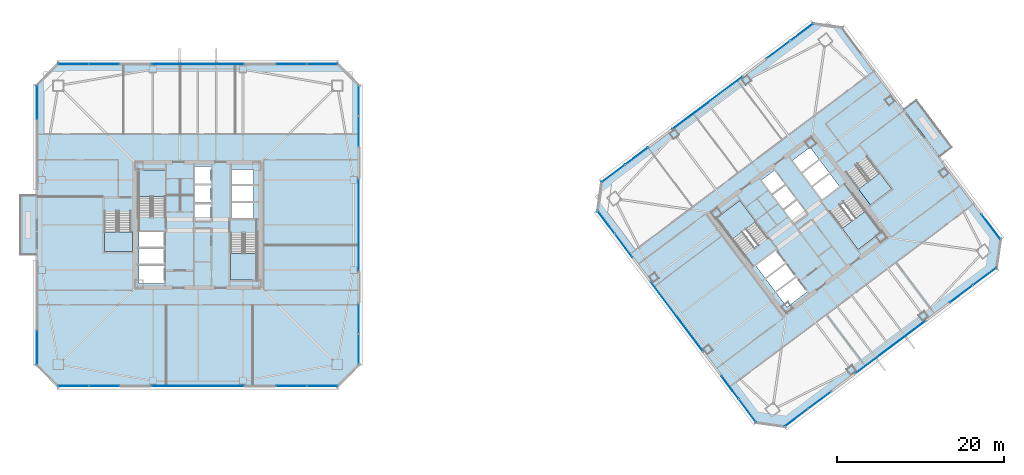
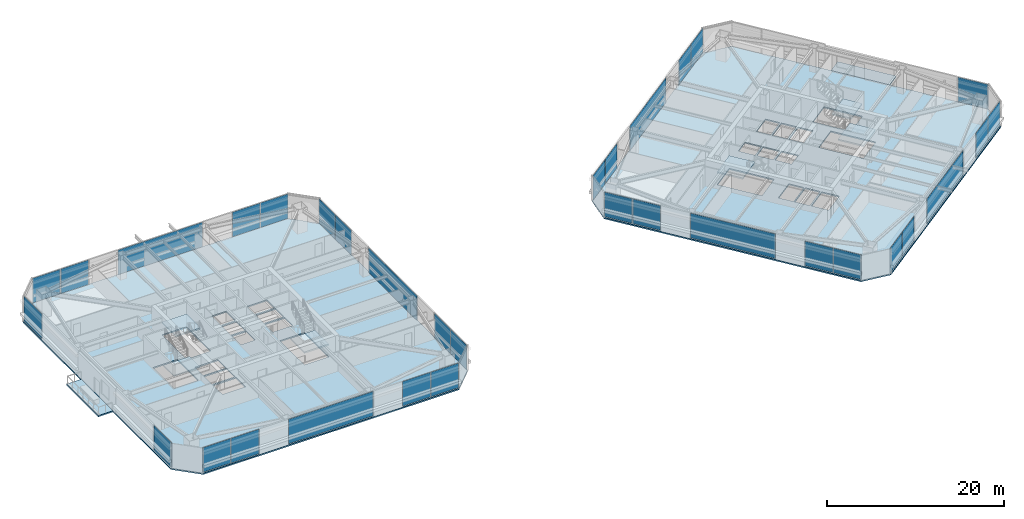
# One storey, part 33 of 46: 33 plates, 10 slabs, 27 elements without a shape of their own.
"""IFC4 building model written with IfcOpenShell, lengths in metres."""

from ifc_helpers import new_model, si_unit, direction, frame, origin, origin_2d, place, context, subcontext, project, spatial, polyline, rectangle, outline, extrude, material, layer, layer_set, type_object, element, aggregate, save


model = new_model("IFC4")

# Units and contexts
model_context = context("Model", 3, precision=1e-05, world=origin(), true_north=direction((0.0, 1.0)))
body_context = subcontext(model_context, "Body", "Model", "MODEL_VIEW")
ifc_project = project(units=[si_unit("LENGTHUNIT", "METRE"), si_unit("AREAUNIT", "SQUARE_METRE"), si_unit("VOLUMEUNIT", "CUBIC_METRE"), si_unit("PLANEANGLEUNIT", "RADIAN"), si_unit("MASSUNIT", "GRAM", prefix="KILO")], contexts=[model_context])

# Site, building, storey
site_placement = place(None, origin())
site = spatial("IfcSite", under=ifc_project, at=site_placement, CompositionType="ELEMENT")
building_placement = place(site_placement, origin())
building = spatial("IfcBuilding", under=site, at=building_placement, Name="Tashvorn Skyway Center", CompositionType="ELEMENT")
storey_placement = place(building_placement, frame((0.0, 0.0, 132.14990234375)))
storey = spatial("IfcBuildingStorey", under=building, at=storey_placement, Name="L35", CompositionType="ELEMENT", Elevation=132.14990234375)

# Curtain wall, plates
ifc_material_1 = material(Name="Thermally broken bronze-anodized aluminium 6063-T6", Category="aluminium")
curtain_wall_type = type_object("IfcCurtainWallType", Name="CW-CW-Z3", PredefinedType="NOTDEFINED", material=ifc_material_1)
curtain_wall_1_placement = place(storey_placement, origin())
curtain_wall_1 = element("IfcCurtainWall", 1, at=curtain_wall_1_placement, inside=storey, type_object=curtain_wall_type, Name="Tower 1 L35 South Unitised Curtain Wall Glazing Group 1", PredefinedType="NOTDEFINED")
ifc_material_2 = material(Name="Low-E solar-control double insulating safety glass", Category="glass")
ifc_layer_1 = layer(ifc_material_2, 0.0400390625)
ifc_layer_set_1 = layer_set([ifc_layer_1], Name="Low-E solar-control double insulating safety glass")
plate_type = type_object("IfcPlateType", Name="CWP-CW-Z3", PredefinedType="CURTAIN_PANEL", material=ifc_layer_set_1)
plate_1_placement = place(storey_placement, frame((56.896728515625, 12.719970703125, 0.0751953125), z_axis=(0.0, 0.0, 1.0), x_axis=(-1.0, 0.0, 0.0)))
plate_1 = element("IfcPlate", 2, at=plate_1_placement, type_object=plate_type, Name="CW-Z3 panel 1.1", PredefinedType="CURTAIN_PANEL", context=body_context, shape_type="SweptSolid", body=[
    extrude(rectangle(XDim=3.616455078125, YDim=0.0400390625, at=origin_2d()), origin(), (0.0, 0.0, 1.0), 3.39990234375),
])
plate_2_placement = place(storey_placement, frame((53.205322265625, 12.719970703125, 0.0751953125), z_axis=(0.0, 0.0, 1.0), x_axis=(-1.0, 0.0, 0.0)))
plate_2 = element("IfcPlate", 3, at=plate_2_placement, type_object=plate_type, Name="CW-Z3 panel 2.1", PredefinedType="CURTAIN_PANEL", context=body_context, shape_type="SweptSolid", body=[
    extrude(rectangle(XDim=3.616455078125, YDim=0.0400390625, at=origin_2d()), origin(), (0.0, 0.0, 1.0), 3.39990234375),
])
aggregate(curtain_wall_1, [plate_1, plate_2])

# Curtain wall, plate
curtain_wall_2_placement = place(storey_placement, origin())
curtain_wall_2 = element("IfcCurtainWall", 4, at=curtain_wall_2_placement, inside=storey, type_object=curtain_wall_type, Name="Tower 1 L35 South Unitised Curtain Wall Glazing Group 2", PredefinedType="NOTDEFINED")
plate_3_placement = place(storey_placement, frame((42.0, 12.719970703125, 0.0751953125), z_axis=(0.0, 0.0, 1.0), x_axis=(-1.0, 0.0, 0.0)))
plate_3 = element("IfcPlate", 5, at=plate_3_placement, type_object=plate_type, Name="CW-Z3 panel 1.1", PredefinedType="CURTAIN_PANEL", context=body_context, shape_type="SweptSolid", body=[
    extrude(rectangle(XDim=11.03662109375, YDim=0.0400390625, at=origin_2d()), origin(), (0.0, 0.0, 1.0), 3.39990234375),
])
aggregate(curtain_wall_2, [plate_3])

# Curtain wall, plates
curtain_wall_3_placement = place(storey_placement, origin())
curtain_wall_3 = element("IfcCurtainWall", 6, at=curtain_wall_3_placement, inside=storey, type_object=curtain_wall_type, Name="Tower 1 L35 South Unitised Curtain Wall Glazing Group 3", PredefinedType="NOTDEFINED")
plate_4_placement = place(storey_placement, frame((30.794677734375, 12.719970703125, 0.0751953125), z_axis=(0.0, 0.0, 1.0), x_axis=(-1.0, 0.0, 0.0)))
plate_4 = element("IfcPlate", 7, at=plate_4_placement, type_object=plate_type, Name="CW-Z3 panel 1.1", PredefinedType="CURTAIN_PANEL", context=body_context, shape_type="SweptSolid", body=[
    extrude(rectangle(XDim=3.616455078125, YDim=0.0400390625, at=origin_2d()), origin(), (0.0, 0.0, 1.0), 3.39990234375),
])
plate_5_placement = place(storey_placement, frame((27.103271484375, 12.719970703125, 0.0751953125), z_axis=(0.0, 0.0, 1.0), x_axis=(-1.0, 0.0, 0.0)))
plate_5 = element("IfcPlate", 8, at=plate_5_placement, type_object=plate_type, Name="CW-Z3 panel 2.1", PredefinedType="CURTAIN_PANEL", context=body_context, shape_type="SweptSolid", body=[
    extrude(rectangle(XDim=3.616455078125, YDim=0.0400390625, at=origin_2d()), origin(), (0.0, 0.0, 1.0), 3.39990234375),
])
aggregate(curtain_wall_3, [plate_4, plate_5])

# Curtain wall, plate
curtain_wall_4_placement = place(storey_placement, origin())
curtain_wall_4 = element("IfcCurtainWall", 9, at=curtain_wall_4_placement, inside=storey, type_object=curtain_wall_type, Name="Tower 1 L35 West Curtain Wall L Glazing Group 1", PredefinedType="NOTDEFINED")
plate_6_placement = place(storey_placement, frame((22.719970703125, 17.308349609375, 0.0751953125), z_axis=(0.0, 0.0, 1.0), x_axis=(0.0, 1.0, 0.0)))
plate_6 = element("IfcPlate", 10, at=plate_6_placement, type_object=plate_type, Name="CW-Z3 panel 1.1", PredefinedType="CURTAIN_PANEL", context=body_context, shape_type="SweptSolid", body=[
    extrude(rectangle(XDim=4.026611328125, YDim=0.0400390625, at=origin_2d()), origin(), (0.0, 0.0, 1.0), 3.39990234375),
])
aggregate(curtain_wall_4, [plate_6])

curtain_wall_5_placement = place(storey_placement, origin())
curtain_wall_5 = element("IfcCurtainWall", 11, at=curtain_wall_5_placement, inside=storey, type_object=curtain_wall_type, Name="Tower 1 L35 West Curtain Wall R Glazing Group 1", PredefinedType="NOTDEFINED")
plate_7_placement = place(storey_placement, frame((22.719970703125, 46.691650390625, 0.0751953125), z_axis=(0.0, 0.0, 1.0), x_axis=(0.0, 1.0, 0.0)))
plate_7 = element("IfcPlate", 12, at=plate_7_placement, type_object=plate_type, Name="CW-Z3 panel 1.1", PredefinedType="CURTAIN_PANEL", context=body_context, shape_type="SweptSolid", body=[
    extrude(rectangle(XDim=4.026611328125, YDim=0.0400390625, at=origin_2d()), origin(), (0.0, 0.0, 1.0), 3.39990234375),
])
aggregate(curtain_wall_5, [plate_7])

# Curtain wall, plates
curtain_wall_6_placement = place(storey_placement, origin())
curtain_wall_6 = element("IfcCurtainWall", 13, at=curtain_wall_6_placement, inside=storey, type_object=curtain_wall_type, Name="Tower 1 L35 North Unitised Curtain Wall Glazing Group 1", PredefinedType="NOTDEFINED")
plate_8_placement = place(storey_placement, frame((27.103271484375, 51.280029296875, 0.0751953125), z_axis=(0.0, 0.0, 1.0), x_axis=(1.0, 0.0, 0.0)))
plate_8 = element("IfcPlate", 14, at=plate_8_placement, type_object=plate_type, Name="CW-Z3 panel 1.1", PredefinedType="CURTAIN_PANEL", context=body_context, shape_type="SweptSolid", body=[
    extrude(rectangle(XDim=3.616455078125, YDim=0.0400390625, at=origin_2d()), origin(), (0.0, 0.0, 1.0), 3.39990234375),
])
plate_9_placement = place(storey_placement, frame((30.794677734375, 51.280029296875, 0.0751953125), z_axis=(0.0, 0.0, 1.0), x_axis=(1.0, 0.0, 0.0)))
plate_9 = element("IfcPlate", 15, at=plate_9_placement, type_object=plate_type, Name="CW-Z3 panel 2.1", PredefinedType="CURTAIN_PANEL", context=body_context, shape_type="SweptSolid", body=[
    extrude(rectangle(XDim=3.616455078125, YDim=0.0400390625, at=origin_2d()), origin(), (0.0, 0.0, 1.0), 3.39990234375),
])
aggregate(curtain_wall_6, [plate_8, plate_9])

# Curtain wall, plate
curtain_wall_7_placement = place(storey_placement, origin())
curtain_wall_7 = element("IfcCurtainWall", 16, at=curtain_wall_7_placement, inside=storey, type_object=curtain_wall_type, Name="Tower 1 L35 North Unitised Curtain Wall Glazing Group 2", PredefinedType="NOTDEFINED")
plate_10_placement = place(storey_placement, frame((42.0, 51.280029296875, 0.0751953125), z_axis=(0.0, 0.0, 1.0), x_axis=(1.0, 0.0, 0.0)))
plate_10 = element("IfcPlate", 17, at=plate_10_placement, type_object=plate_type, Name="CW-Z3 panel 1.1", PredefinedType="CURTAIN_PANEL", context=body_context, shape_type="SweptSolid", body=[
    extrude(rectangle(XDim=11.03662109375, YDim=0.0400390625, at=origin_2d()), origin(), (0.0, 0.0, 1.0), 3.39990234375),
])
aggregate(curtain_wall_7, [plate_10])

# Curtain wall, plates
curtain_wall_8_placement = place(storey_placement, origin())
curtain_wall_8 = element("IfcCurtainWall", 18, at=curtain_wall_8_placement, inside=storey, type_object=curtain_wall_type, Name="Tower 1 L35 North Unitised Curtain Wall Glazing Group 3", PredefinedType="NOTDEFINED")
plate_11_placement = place(storey_placement, frame((53.205322265625, 51.280029296875, 0.0751953125), z_axis=(0.0, 0.0, 1.0), x_axis=(1.0, 0.0, 0.0)))
plate_11 = element("IfcPlate", 19, at=plate_11_placement, type_object=plate_type, Name="CW-Z3 panel 1.1", PredefinedType="CURTAIN_PANEL", context=body_context, shape_type="SweptSolid", body=[
    extrude(rectangle(XDim=3.616455078125, YDim=0.0400390625, at=origin_2d()), origin(), (0.0, 0.0, 1.0), 3.39990234375),
])
plate_12_placement = place(storey_placement, frame((56.896728515625, 51.280029296875, 0.0751953125), z_axis=(0.0, 0.0, 1.0), x_axis=(1.0, 0.0, 0.0)))
plate_12 = element("IfcPlate", 20, at=plate_12_placement, type_object=plate_type, Name="CW-Z3 panel 2.1", PredefinedType="CURTAIN_PANEL", context=body_context, shape_type="SweptSolid", body=[
    extrude(rectangle(XDim=3.616455078125, YDim=0.0400390625, at=origin_2d()), origin(), (0.0, 0.0, 1.0), 3.39990234375),
])
aggregate(curtain_wall_8, [plate_11, plate_12])

curtain_wall_9_placement = place(storey_placement, origin())
curtain_wall_9 = element("IfcCurtainWall", 21, at=curtain_wall_9_placement, inside=storey, type_object=curtain_wall_type, Name="Tower 1 L35 East Unitised Curtain Wall Glazing Group 1", PredefinedType="NOTDEFINED")
plate_13_placement = place(storey_placement, frame((61.280029296875, 46.896728515625, 0.0751953125), z_axis=(0.0, 0.0, 1.0), x_axis=(0.0, -1.0, 0.0)))
plate_13 = element("IfcPlate", 22, at=plate_13_placement, type_object=plate_type, Name="CW-Z3 panel 1.1", PredefinedType="CURTAIN_PANEL", context=body_context, shape_type="SweptSolid", body=[
    extrude(rectangle(XDim=3.616455078125, YDim=0.0400390625, at=origin_2d()), origin(), (0.0, 0.0, 1.0), 3.39990234375),
])
plate_14_placement = place(storey_placement, frame((61.280029296875, 43.205322265625, 0.0751953125), z_axis=(0.0, 0.0, 1.0), x_axis=(0.0, -1.0, 0.0)))
plate_14 = element("IfcPlate", 23, at=plate_14_placement, type_object=plate_type, Name="CW-Z3 panel 2.1", PredefinedType="CURTAIN_PANEL", context=body_context, shape_type="SweptSolid", body=[
    extrude(rectangle(XDim=3.616455078125, YDim=0.0400390625, at=origin_2d()), origin(), (0.0, 0.0, 1.0), 3.39990234375),
])
aggregate(curtain_wall_9, [plate_13, plate_14])

# Curtain wall, plate
curtain_wall_10_placement = place(storey_placement, origin())
curtain_wall_10 = element("IfcCurtainWall", 24, at=curtain_wall_10_placement, inside=storey, type_object=curtain_wall_type, Name="Tower 1 L35 East Unitised Curtain Wall Glazing Group 2", PredefinedType="NOTDEFINED")
plate_15_placement = place(storey_placement, frame((61.280029296875, 32.0, 0.0751953125), z_axis=(0.0, 0.0, 1.0), x_axis=(0.0, -1.0, 0.0)))
plate_15 = element("IfcPlate", 25, at=plate_15_placement, type_object=plate_type, Name="CW-Z3 panel 1.1", PredefinedType="CURTAIN_PANEL", context=body_context, shape_type="SweptSolid", body=[
    extrude(rectangle(XDim=11.03662109375, YDim=0.0400390625, at=origin_2d()), origin(), (0.0, 0.0, 1.0), 3.39990234375),
])
aggregate(curtain_wall_10, [plate_15])

# Curtain wall, plates
curtain_wall_11_placement = place(storey_placement, origin())
curtain_wall_11 = element("IfcCurtainWall", 26, at=curtain_wall_11_placement, inside=storey, type_object=curtain_wall_type, Name="Tower 1 L35 East Unitised Curtain Wall Glazing Group 3", PredefinedType="NOTDEFINED")
plate_16_placement = place(storey_placement, frame((61.280029296875, 20.794677734375, 0.0751953125), z_axis=(0.0, 0.0, 1.0), x_axis=(0.0, -1.0, 0.0)))
plate_16 = element("IfcPlate", 27, at=plate_16_placement, type_object=plate_type, Name="CW-Z3 panel 1.1", PredefinedType="CURTAIN_PANEL", context=body_context, shape_type="SweptSolid", body=[
    extrude(rectangle(XDim=3.616455078125, YDim=0.0400390625, at=origin_2d()), origin(), (0.0, 0.0, 1.0), 3.39990234375),
])
plate_17_placement = place(storey_placement, frame((61.280029296875, 17.103271484375, 0.0751953125), z_axis=(0.0, 0.0, 1.0), x_axis=(0.0, -1.0, 0.0)))
plate_17 = element("IfcPlate", 28, at=plate_17_placement, type_object=plate_type, Name="CW-Z3 panel 2.1", PredefinedType="CURTAIN_PANEL", context=body_context, shape_type="SweptSolid", body=[
    extrude(rectangle(XDim=3.616455078125, YDim=0.0400390625, at=origin_2d()), origin(), (0.0, 0.0, 1.0), 3.39990234375),
])
aggregate(curtain_wall_11, [plate_16, plate_17])

curtain_wall_12_placement = place(storey_placement, origin())
curtain_wall_12 = element("IfcCurtainWall", 29, at=curtain_wall_12_placement, inside=storey, type_object=curtain_wall_type, Name="Tower 2 L35 South Unitised Curtain Wall Glazing Group 1", PredefinedType="NOTDEFINED")
plate_18_placement = place(storey_placement, frame((136.245361328125, 25.833984375, 0.0751953125), z_axis=(0.0, 0.0, 1.0), x_axis=(-0.799996599484, -0.600004533995, 0.0)))
plate_18 = element("IfcPlate", 30, at=plate_18_placement, type_object=plate_type, Name="CW-Z3 panel 1.1", PredefinedType="CURTAIN_PANEL", context=body_context, shape_type="SweptSolid", body=[
    extrude(rectangle(XDim=3.41650390625, YDim=0.0400390625, at=origin_2d()), origin(), (0.0, 0.0, 1.0), 3.39990234375),
])
plate_19_placement = place(storey_placement, frame((133.452392578125, 23.7392578125, 0.0751953125), z_axis=(0.0, 0.0, 1.0), x_axis=(-0.799996599484, -0.600004533995, 0.0)))
plate_19 = element("IfcPlate", 31, at=plate_19_placement, type_object=plate_type, Name="CW-Z3 panel 2.1", PredefinedType="CURTAIN_PANEL", context=body_context, shape_type="SweptSolid", body=[
    extrude(rectangle(XDim=3.41650390625, YDim=0.0400390625, at=origin_2d()), origin(), (0.0, 0.0, 1.0), 3.39990234375),
])
aggregate(curtain_wall_12, [plate_18, plate_19])

# Curtain wall, plate
curtain_wall_13_placement = place(storey_placement, origin())
curtain_wall_13 = element("IfcCurtainWall", 32, at=curtain_wall_13_placement, inside=storey, type_object=curtain_wall_type, Name="Tower 2 L35 South Unitised Curtain Wall Glazing Group 2", PredefinedType="NOTDEFINED")
plate_20_placement = place(storey_placement, frame((124.968017578125, 17.3759765625, 0.0751953125), z_axis=(0.0, 0.0, 1.0), x_axis=(-0.800002266987, -0.599996977339, 0.0)))
plate_20 = element("IfcPlate", 33, at=plate_20_placement, type_object=plate_type, Name="CW-Z3 panel 1.1", PredefinedType="CURTAIN_PANEL", context=body_context, shape_type="SweptSolid", body=[
    extrude(rectangle(XDim=10.436767578125, YDim=0.0400390625, at=origin_2d()), origin(), (0.0, 0.0, 1.0), 3.39990234375),
])
aggregate(curtain_wall_13, [plate_20])

# Curtain wall, plates
curtain_wall_14_placement = place(storey_placement, origin())
curtain_wall_14 = element("IfcCurtainWall", 34, at=curtain_wall_14_placement, inside=storey, type_object=curtain_wall_type, Name="Tower 2 L35 South Unitised Curtain Wall Glazing Group 3", PredefinedType="NOTDEFINED")
plate_21_placement = place(storey_placement, frame((116.483642578125, 11.0126953125, 0.0751953125), z_axis=(0.0, 0.0, 1.0), x_axis=(-0.799996599484, -0.600004533995, 0.0)))
plate_21 = element("IfcPlate", 35, at=plate_21_placement, type_object=plate_type, Name="CW-Z3 panel 1.1", PredefinedType="CURTAIN_PANEL", context=body_context, shape_type="SweptSolid", body=[
    extrude(rectangle(XDim=3.41650390625, YDim=0.0400390625, at=origin_2d()), origin(), (0.0, 0.0, 1.0), 3.39990234375),
])
plate_22_placement = place(storey_placement, frame((113.6904296875, 8.91796875, 0.0751953125), z_axis=(0.0, 0.0, 1.0), x_axis=(-0.799996599484, -0.600004533995, 0.0)))
plate_22 = element("IfcPlate", 36, at=plate_22_placement, type_object=plate_type, Name="CW-Z3 panel 2.1", PredefinedType="CURTAIN_PANEL", context=body_context, shape_type="SweptSolid", body=[
    extrude(rectangle(XDim=3.41650390625, YDim=0.0400390625, at=origin_2d()), origin(), (0.0, 0.0, 1.0), 3.39990234375),
])
aggregate(curtain_wall_14, [plate_21, plate_22])

curtain_wall_15_placement = place(storey_placement, origin())
curtain_wall_15 = element("IfcCurtainWall", 37, at=curtain_wall_15_placement, inside=storey, type_object=curtain_wall_type, Name="Tower 2 L35 West Unitised Curtain Wall Glazing Group 1", PredefinedType="NOTDEFINED")
plate_23_placement = place(storey_placement, frame((107.833984375, 9.754638671875, 0.0751953125), z_axis=(0.0, 0.0, 1.0), x_axis=(-0.600004533995, 0.799996599484, 0.0)))
plate_23 = element("IfcPlate", 38, at=plate_23_placement, type_object=plate_type, Name="CW-Z3 panel 1.1", PredefinedType="CURTAIN_PANEL", context=body_context, shape_type="SweptSolid", body=[
    extrude(rectangle(XDim=3.41650390625, YDim=0.0400390625, at=origin_2d()), origin(), (0.0, 0.0, 1.0), 3.39990234375),
])
plate_24_placement = place(storey_placement, frame((105.7392578125, 12.547607421875, 0.0751953125), z_axis=(0.0, 0.0, 1.0), x_axis=(-0.600004533995, 0.799996599484, 0.0)))
plate_24 = element("IfcPlate", 39, at=plate_24_placement, type_object=plate_type, Name="CW-Z3 panel 2.1", PredefinedType="CURTAIN_PANEL", context=body_context, shape_type="SweptSolid", body=[
    extrude(rectangle(XDim=3.41650390625, YDim=0.0400390625, at=origin_2d()), origin(), (0.0, 0.0, 1.0), 3.39990234375),
])
aggregate(curtain_wall_15, [plate_23, plate_24])

# Curtain wall, plate
curtain_wall_16_placement = place(storey_placement, origin())
curtain_wall_16 = element("IfcCurtainWall", 40, at=curtain_wall_16_placement, inside=storey, type_object=curtain_wall_type, Name="Tower 2 L35 West Unitised Curtain Wall Glazing Group 2", PredefinedType="NOTDEFINED")
plate_25_placement = place(storey_placement, frame((99.3759765625, 21.031982421875, 0.0751953125), z_axis=(0.0, 0.0, 1.0), x_axis=(-0.599996977339, 0.800002266987, 0.0)))
plate_25 = element("IfcPlate", 41, at=plate_25_placement, type_object=plate_type, Name="CW-Z3 panel 1.1", PredefinedType="CURTAIN_PANEL", context=body_context, shape_type="SweptSolid", body=[
    extrude(rectangle(XDim=10.436767578125, YDim=0.0400390625, at=origin_2d()), origin(), (0.0, 0.0, 1.0), 3.39990234375),
])
aggregate(curtain_wall_16, [plate_25])

# Curtain wall, plates
curtain_wall_17_placement = place(storey_placement, origin())
curtain_wall_17 = element("IfcCurtainWall", 42, at=curtain_wall_17_placement, inside=storey, type_object=curtain_wall_type, Name="Tower 2 L35 West Unitised Curtain Wall Glazing Group 3", PredefinedType="NOTDEFINED")
plate_26_placement = place(storey_placement, frame((93.0126953125, 29.516357421875, 0.0751953125), z_axis=(0.0, 0.0, 1.0), x_axis=(-0.600004533995, 0.799996599484, 0.0)))
plate_26 = element("IfcPlate", 43, at=plate_26_placement, type_object=plate_type, Name="CW-Z3 panel 1.1", PredefinedType="CURTAIN_PANEL", context=body_context, shape_type="SweptSolid", body=[
    extrude(rectangle(XDim=3.41650390625, YDim=0.0400390625, at=origin_2d()), origin(), (0.0, 0.0, 1.0), 3.39990234375),
])
plate_27_placement = place(storey_placement, frame((90.91796875, 32.3095703125, 0.0751953125), z_axis=(0.0, 0.0, 1.0), x_axis=(-0.600004533995, 0.799996599484, 0.0)))
plate_27 = element("IfcPlate", 44, at=plate_27_placement, type_object=plate_type, Name="CW-Z3 panel 2.1", PredefinedType="CURTAIN_PANEL", context=body_context, shape_type="SweptSolid", body=[
    extrude(rectangle(XDim=3.41650390625, YDim=0.0400390625, at=origin_2d()), origin(), (0.0, 0.0, 1.0), 3.39990234375),
])
aggregate(curtain_wall_17, [plate_26, plate_27])

curtain_wall_18_placement = place(storey_placement, origin())
curtain_wall_18 = element("IfcCurtainWall", 45, at=curtain_wall_18_placement, inside=storey, type_object=curtain_wall_type, Name="Tower 2 L35 North Unitised Curtain Wall Glazing Group 1", PredefinedType="NOTDEFINED")
plate_28_placement = place(storey_placement, frame((91.754638671875, 38.166015625, 0.0751953125), z_axis=(0.0, 0.0, 1.0), x_axis=(0.799996599484, 0.600004533995, 0.0)))
plate_28 = element("IfcPlate", 46, at=plate_28_placement, type_object=plate_type, Name="CW-Z3 panel 1.1", PredefinedType="CURTAIN_PANEL", context=body_context, shape_type="SweptSolid", body=[
    extrude(rectangle(XDim=3.41650390625, YDim=0.0400390625, at=origin_2d()), origin(), (0.0, 0.0, 1.0), 3.39990234375),
])
plate_29_placement = place(storey_placement, frame((94.547607421875, 40.2607421875, 0.0751953125), z_axis=(0.0, 0.0, 1.0), x_axis=(0.799996599484, 0.600004533995, 0.0)))
plate_29 = element("IfcPlate", 47, at=plate_29_placement, type_object=plate_type, Name="CW-Z3 panel 2.1", PredefinedType="CURTAIN_PANEL", context=body_context, shape_type="SweptSolid", body=[
    extrude(rectangle(XDim=3.41650390625, YDim=0.0400390625, at=origin_2d()), origin(), (0.0, 0.0, 1.0), 3.39990234375),
])
aggregate(curtain_wall_18, [plate_28, plate_29])

# Curtain wall, plate
curtain_wall_19_placement = place(storey_placement, origin())
curtain_wall_19 = element("IfcCurtainWall", 48, at=curtain_wall_19_placement, inside=storey, type_object=curtain_wall_type, Name="Tower 2 L35 North Unitised Curtain Wall Glazing Group 2", PredefinedType="NOTDEFINED")
plate_30_placement = place(storey_placement, frame((103.031982421875, 46.6240234375, 0.0751953125), z_axis=(0.0, 0.0, 1.0), x_axis=(0.800002266987, 0.599996977339, 0.0)))
plate_30 = element("IfcPlate", 49, at=plate_30_placement, type_object=plate_type, Name="CW-Z3 panel 1.1", PredefinedType="CURTAIN_PANEL", context=body_context, shape_type="SweptSolid", body=[
    extrude(rectangle(XDim=10.436767578125, YDim=0.0400390625, at=origin_2d()), origin(), (0.0, 0.0, 1.0), 3.39990234375),
])
aggregate(curtain_wall_19, [plate_30])

# Curtain wall, plates
curtain_wall_20_placement = place(storey_placement, origin())
curtain_wall_20 = element("IfcCurtainWall", 50, at=curtain_wall_20_placement, inside=storey, type_object=curtain_wall_type, Name="Tower 2 L35 North Unitised Curtain Wall Glazing Group 3", PredefinedType="NOTDEFINED")
plate_31_placement = place(storey_placement, frame((111.516357421875, 52.9873046875, 0.0751953125), z_axis=(0.0, 0.0, 1.0), x_axis=(0.799996599484, 0.600004533995, 0.0)))
plate_31 = element("IfcPlate", 51, at=plate_31_placement, type_object=plate_type, Name="CW-Z3 panel 1.1", PredefinedType="CURTAIN_PANEL", context=body_context, shape_type="SweptSolid", body=[
    extrude(rectangle(XDim=3.41650390625, YDim=0.0400390625, at=origin_2d()), origin(), (0.0, 0.0, 1.0), 3.39990234375),
])
plate_32_placement = place(storey_placement, frame((114.3095703125, 55.08203125, 0.0751953125), z_axis=(0.0, 0.0, 1.0), x_axis=(0.799996599484, 0.600004533995, 0.0)))
plate_32 = element("IfcPlate", 52, at=plate_32_placement, type_object=plate_type, Name="CW-Z3 panel 2.1", PredefinedType="CURTAIN_PANEL", context=body_context, shape_type="SweptSolid", body=[
    extrude(rectangle(XDim=3.41650390625, YDim=0.0400390625, at=origin_2d()), origin(), (0.0, 0.0, 1.0), 3.39990234375),
])
aggregate(curtain_wall_20, [plate_31, plate_32])

# Curtain wall, plate
curtain_wall_21_placement = place(storey_placement, origin())
curtain_wall_21 = element("IfcCurtainWall", 53, at=curtain_wall_21_placement, inside=storey, type_object=curtain_wall_type, Name="Tower 2 L35 East Curtain Wall R Glazing Group 1", PredefinedType="NOTDEFINED")
plate_33_placement = place(storey_placement, frame((136.989013671875, 31.814697265625, 0.0751953125), z_axis=(0.0, 0.0, 1.0), x_axis=(0.600004127279, -0.799996904524, 0.0)))
plate_33 = element("IfcPlate", 54, at=plate_33_placement, type_object=plate_type, Name="CW-Z3 panel 1.1", PredefinedType="CURTAIN_PANEL", context=body_context, shape_type="SweptSolid", body=[
    extrude(rectangle(XDim=3.7265625, YDim=0.0400390625, at=origin_2d()), origin(), (0.0, 0.0, 1.0), 3.39990234375),
])
aggregate(curtain_wall_21, [plate_33])

# Slabs
ifc_material_3 = material(Name="Concrete C40/50", Category="concrete")
ifc_layer_2 = layer(ifc_material_3, 0.179931640625)
ifc_layer_set_2 = layer_set([ifc_layer_2], Name="Concrete C40/50")
slab_type_1 = type_object("IfcSlabType", Name="SLAB-FLR-180", PredefinedType="FLOOR", material=ifc_layer_set_2)
slab_1_placement = place(storey_placement, frame((0.0, 0.0, -0.179931640625)))
element("IfcSlab", 55, at=slab_1_placement, inside=storey, type_object=slab_type_1, Name="Tower 1 L35 Composite Floor Slab", PredefinedType="FLOOR", context=body_context, shape_type="SweptSolid", body=[
    extrude(outline(polyline([(25.300048828125, 12.60009765625), (58.699951171875, 12.60009765625), (61.39990234375, 15.300048828125), (61.39990234375, 48.699951171875), (58.699951171875, 51.39990234375), (25.300048828125, 51.39990234375), (22.60009765625, 48.699951171875), (22.60009765625, 15.300048828125), (25.300048828125, 12.60009765625)]), holes=[polyline([(38.10009765625, 33.080078125), (38.10009765625, 38.60009765625), (34.89990234375, 38.60009765625), (34.89990234375, 33.080078125), (38.10009765625, 33.080078125)]), polyline([(45.89990234375, 30.919921875), (45.89990234375, 25.39990234375), (49.10009765625, 25.39990234375), (49.10009765625, 30.919921875), (45.89990234375, 30.919921875)]), polyline([(30.800048828125, 33.52001953125), (30.800048828125, 28.800048828125), (34.0, 28.800048828125), (34.0, 33.52001953125), (30.800048828125, 33.52001953125)]), polyline([(34.949951171875, 29.35009765625), (37.949951171875, 29.35009765625), (37.949951171875, 31.199951171875), (34.949951171875, 31.199951171875), (34.949951171875, 29.35009765625)]), polyline([(34.949951171875, 27.35009765625), (37.949951171875, 27.35009765625), (37.949951171875, 29.199951171875), (34.949951171875, 29.199951171875), (34.949951171875, 27.35009765625)]), polyline([(34.949951171875, 25.0), (37.949951171875, 25.0), (37.949951171875, 27.14990234375), (34.949951171875, 27.14990234375), (34.949951171875, 25.0)]), polyline([(41.64990234375, 32.449951171875), (43.550048828125, 32.449951171875), (43.550048828125, 34.5), (41.64990234375, 34.5), (41.64990234375, 32.449951171875)]), polyline([(41.64990234375, 34.699951171875), (43.550048828125, 34.699951171875), (43.550048828125, 36.75), (41.64990234375, 36.75), (41.64990234375, 34.699951171875)]), polyline([(41.64990234375, 36.949951171875), (43.550048828125, 36.949951171875), (43.550048828125, 39.0), (41.64990234375, 39.0), (41.64990234375, 36.949951171875)]), polyline([(46.050048828125, 32.800048828125), (48.64990234375, 32.800048828125), (48.64990234375, 34.64990234375), (46.050048828125, 34.64990234375), (46.050048828125, 32.800048828125)]), polyline([(46.050048828125, 34.85009765625), (48.64990234375, 34.85009765625), (48.64990234375, 36.699951171875), (46.050048828125, 36.699951171875), (46.050048828125, 34.85009765625)]), polyline([(46.050048828125, 36.89990234375), (48.64990234375, 36.89990234375), (48.64990234375, 38.64990234375), (46.050048828125, 38.64990234375), (46.050048828125, 36.89990234375)])]), origin(), (0.0, 0.0, 1.0), 0.179931640625),
])
slab_2_placement = place(storey_placement, frame((0.0, 0.0, -0.179931640625)))
element("IfcSlab", 56, at=slab_2_placement, inside=storey, type_object=slab_type_1, Name="Tower 2 L35 Composite Floor Slab", PredefinedType="FLOOR", context=body_context, shape_type="SweptSolid", body=[
    extrude(outline(polyline([(112.39990234375, 7.800048828125), (137.679931640625, 26.760009765625), (138.199951171875, 30.39990234375), (119.239990234375, 55.679931640625), (115.60009765625, 56.199951171875), (90.320068359375, 37.239990234375), (89.800048828125, 33.60009765625), (108.760009765625, 8.320068359375), (112.39990234375, 7.800048828125)]), holes=[polyline([(110.23193359375, 30.52392578125), (106.919921875, 34.93994140625), (104.135986328125, 32.85205078125), (107.447998046875, 28.43603515625), (110.23193359375, 30.52392578125)]), polyline([(117.76806640625, 33.47607421875), (121.080078125, 29.06005859375), (123.864013671875, 31.14794921875), (120.552001953125, 35.56396484375), (117.76806640625, 33.47607421875)]), polyline([(119.7119140625, 38.18408203125), (122.5439453125, 34.407958984375), (125.10400390625, 36.327880859375), (122.27197265625, 40.10400390625), (119.7119140625, 38.18408203125)]), polyline([(109.949951171875, 25.64990234375), (112.35009765625, 27.449951171875), (111.239990234375, 28.929931640625), (108.840087890625, 27.1298828125), (109.949951171875, 25.64990234375)]), polyline([(111.14990234375, 24.050048828125), (113.550048828125, 25.85009765625), (112.43994140625, 27.330078125), (110.0400390625, 25.530029296875), (111.14990234375, 24.050048828125)]), polyline([(112.56005859375, 22.169921875), (114.9599609375, 23.969970703125), (113.669921875, 25.68994140625), (111.27001953125, 23.889892578125), (112.56005859375, 22.169921875)]), polyline([(113.449951171875, 32.14990234375), (114.969970703125, 33.2900390625), (113.739990234375, 34.929931640625), (112.219970703125, 33.7900390625), (113.449951171875, 32.14990234375)]), polyline([(112.10009765625, 33.949951171875), (113.6201171875, 35.090087890625), (112.389892578125, 36.72998046875), (110.8701171875, 35.590087890625), (112.10009765625, 33.949951171875)]), polyline([(110.75, 35.75), (112.27001953125, 36.889892578125), (111.0400390625, 38.530029296875), (109.52001953125, 37.389892578125), (110.75, 35.75)]), polyline([(116.760009765625, 35.070068359375), (118.840087890625, 36.6298828125), (117.72998046875, 38.110107421875), (115.64990234375, 36.550048828125), (116.760009765625, 35.070068359375)]), polyline([(115.530029296875, 36.7099609375), (117.610107421875, 38.27001953125), (116.5, 39.75), (114.419921875, 38.18994140625), (115.530029296875, 36.7099609375)]), polyline([(114.300048828125, 38.35009765625), (116.3798828125, 39.909912109375), (115.330078125, 41.31005859375), (113.25, 39.75), (114.300048828125, 38.35009765625)])]), origin(), (0.0, 0.0, 1.0), 0.179931640625),
])

# Stair, slab
stair_type = type_object("IfcStairType", Name="STAIR-CORE-1500", PredefinedType="HALF_TURN_STAIR", material=ifc_material_3)
stair_1_placement = place(storey_placement, origin())
stair_1 = element("IfcStair", 57, at=stair_1_placement, inside=storey, type_object=stair_type, Name="L35 Tower 1 Exit Stair 1", PredefinedType="HALF_TURN_STAIR")
ifc_layer_3 = layer(ifc_material_3, 0.199951171875)
ifc_layer_set_3 = layer_set([ifc_layer_3], Name="Concrete C40/50")
slab_type_2 = type_object("IfcSlabType", Name="SLAB-LAND-200", PredefinedType="LANDING", material=ifc_layer_set_3)
slab_3_placement = place(storey_placement, frame((0.0, 0.0, 1.5751953125)))
slab_3 = element("IfcSlab", 58, at=slab_3_placement, type_object=slab_type_2, Name="ST-T1-1 landing 1", PredefinedType="LANDING", context=body_context, shape_type="SweptSolid", body=[
    extrude(outline(polyline([(38.10009765625, 35.43994140625), (38.10009765625, 38.60009765625), (34.89990234375, 38.60009765625), (34.89990234375, 35.43994140625), (38.10009765625, 35.43994140625)])), origin(), (0.0, 0.0, 1.0), 0.199951171875),
])
aggregate(stair_1, [slab_3])

stair_2_placement = place(storey_placement, origin())
stair_2 = element("IfcStair", 59, at=stair_2_placement, inside=storey, type_object=stair_type, Name="L35 Tower 1 Exit Stair 2", PredefinedType="HALF_TURN_STAIR")
slab_4_placement = place(storey_placement, frame((0.0, 0.0, 1.5751953125)))
slab_4 = element("IfcSlab", 60, at=slab_4_placement, type_object=slab_type_2, Name="ST-T1-2 landing 1", PredefinedType="LANDING", context=body_context, shape_type="SweptSolid", body=[
    extrude(outline(polyline([(45.89990234375, 28.56005859375), (45.89990234375, 25.39990234375), (49.10009765625, 25.39990234375), (49.10009765625, 28.56005859375), (45.89990234375, 28.56005859375)])), origin(), (0.0, 0.0, 1.0), 0.199951171875),
])
aggregate(stair_2, [slab_4])

stair_3_placement = place(storey_placement, origin())
stair_3 = element("IfcStair", 61, at=stair_3_placement, inside=storey, type_object=stair_type, Name="L35 Tower 2 Exit Stair 1", PredefinedType="HALF_TURN_STAIR")
slab_5_placement = place(storey_placement, frame((0.0, 0.0, 1.5751953125)))
slab_5 = element("IfcSlab", 62, at=slab_5_placement, type_object=slab_type_2, Name="ST-T2-1 landing 1", PredefinedType="LANDING", context=body_context, shape_type="SweptSolid", body=[
    extrude(outline(polyline([(108.82080078125, 32.405517578125), (106.919921875, 34.93994140625), (104.135986328125, 32.85205078125), (106.036865234375, 30.317626953125), (108.82080078125, 32.405517578125)])), origin(), (0.0, 0.0, 1.0), 0.199951171875),
])
aggregate(stair_3, [slab_5])

stair_4_placement = place(storey_placement, origin())
stair_4 = element("IfcStair", 63, at=stair_4_placement, inside=storey, type_object=stair_type, Name="L35 Tower 2 Exit Stair 2", PredefinedType="HALF_TURN_STAIR")
slab_6_placement = place(storey_placement, frame((0.0, 0.0, 1.5751953125)))
slab_6 = element("IfcSlab", 64, at=slab_6_placement, type_object=slab_type_2, Name="ST-T2-2 landing 1", PredefinedType="LANDING", context=body_context, shape_type="SweptSolid", body=[
    extrude(outline(polyline([(119.17919921875, 31.594482421875), (121.080078125, 29.06005859375), (123.864013671875, 31.14794921875), (121.963134765625, 33.682373046875), (119.17919921875, 31.594482421875)])), origin(), (0.0, 0.0, 1.0), 0.199951171875),
])
aggregate(stair_4, [slab_6])

stair_5_placement = place(storey_placement, origin())
stair_5 = element("IfcStair", 65, at=stair_5_placement, inside=storey, type_object=stair_type, Name="L35 Tower 1 Exit Stair 3", PredefinedType="HALF_TURN_STAIR")
slab_7_placement = place(storey_placement, frame((0.0, 0.0, 1.5751953125)))
slab_7 = element("IfcSlab", 66, at=slab_7_placement, type_object=slab_type_2, Name="ST-T1-3 landing 1", PredefinedType="LANDING", context=body_context, shape_type="SweptSolid", body=[
    extrude(outline(polyline([(30.800048828125, 31.159912109375), (30.800048828125, 28.800048828125), (34.199951171875, 28.800048828125), (34.199951171875, 31.159912109375), (30.800048828125, 31.159912109375)])), origin(), (0.0, 0.0, 1.0), 0.199951171875),
])
aggregate(stair_5, [slab_7])

stair_6_placement = place(storey_placement, origin())
stair_6 = element("IfcStair", 67, at=stair_6_placement, inside=storey, type_object=stair_type, Name="L35 Tower 2 Exit Stair 3", PredefinedType="HALF_TURN_STAIR")
slab_8_placement = place(storey_placement, frame((0.0, 0.0, 1.5751953125)))
slab_8 = element("IfcSlab", 68, at=slab_8_placement, type_object=slab_type_2, Name="ST-T2-3 landing 1", PredefinedType="LANDING", context=body_context, shape_type="SweptSolid", body=[
    extrude(outline(polyline([(121.123291015625, 36.302490234375), (122.5439453125, 34.407958984375), (125.10400390625, 36.327880859375), (123.68310546875, 38.222412109375), (121.123291015625, 36.302490234375)])), origin(), (0.0, 0.0, 1.0), 0.199951171875),
])
aggregate(stair_6, [slab_8])

# Slabs
ifc_layer_4 = layer(ifc_material_3, 0.179931640625)
ifc_layer_set_4 = layer_set([ifc_layer_4], Name="Concrete C40/50")
slab_type_3 = type_object("IfcSlabType", Name="SLAB-TERR-200", PredefinedType="FLOOR", material=ifc_layer_set_4)
slab_9_placement = place(storey_placement, frame((0.0, 0.0, -0.179931640625)))
element("IfcSlab", 69, at=slab_9_placement, inside=storey, type_object=slab_type_3, Name="Tower 1 L35 Spiral Planted Terrace Slab", PredefinedType="FLOOR", context=body_context, shape_type="SweptSolid", body=[
    extrude(outline(polyline([(20.699951171875, 28.39990234375), (22.610107421875, 28.39990234375), (22.610107421875, 35.60009765625), (20.699951171875, 35.60009765625), (20.699951171875, 28.39990234375)])), origin(), (0.0, 0.0, 1.0), 0.179931640625),
])
slab_10_placement = place(storey_placement, frame((0.0, 0.0, -0.179931640625)))
element("IfcSlab", 70, at=slab_10_placement, inside=storey, type_object=slab_type_3, Name="Tower 2 L35 Spiral Planted Terrace Slab", PredefinedType="FLOOR", context=body_context, shape_type="SweptSolid", body=[
    extrude(outline(polyline([(130.8720703125, 40.154052734375), (132.39990234375, 41.300048828125), (128.080078125, 47.06005859375), (126.552001953125, 45.9140625), (130.8720703125, 40.154052734375)])), origin(), (0.0, 0.0, 1.0), 0.179931640625),
])

save(model, "model.ifc")
